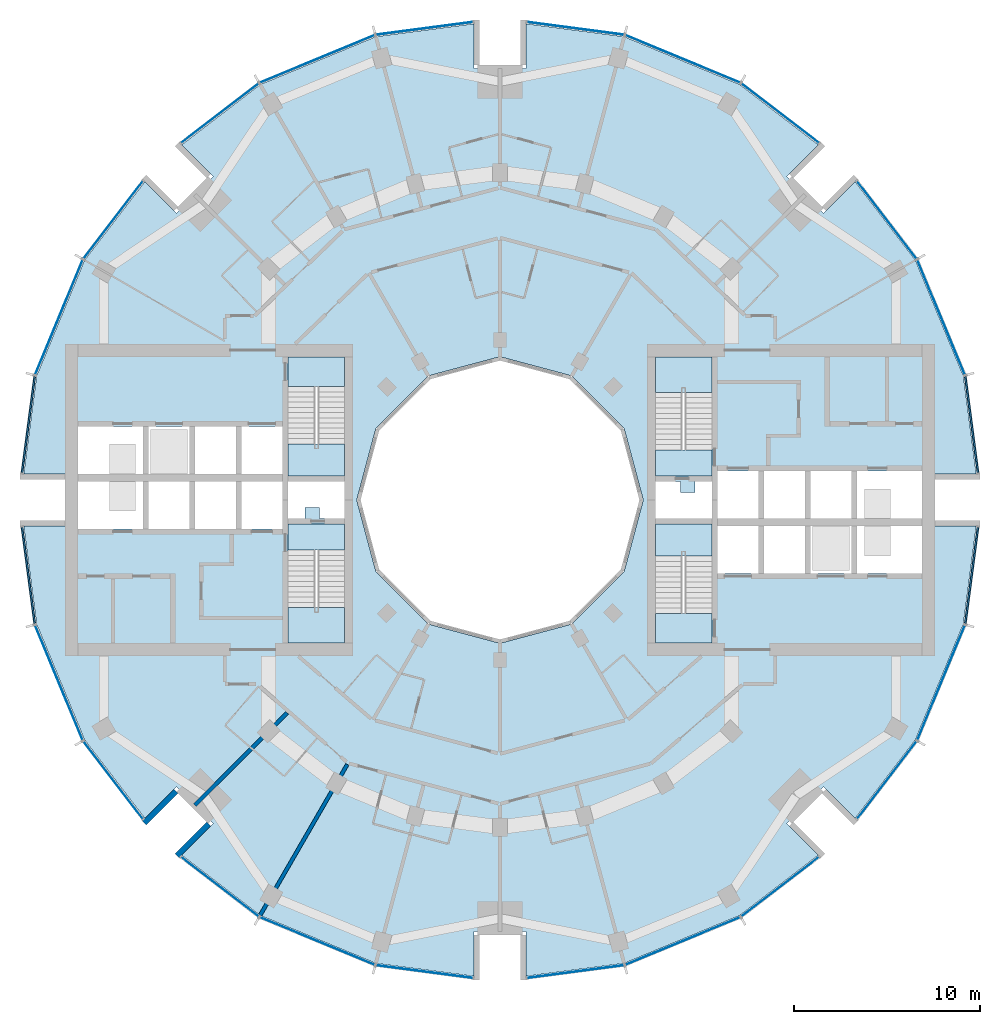
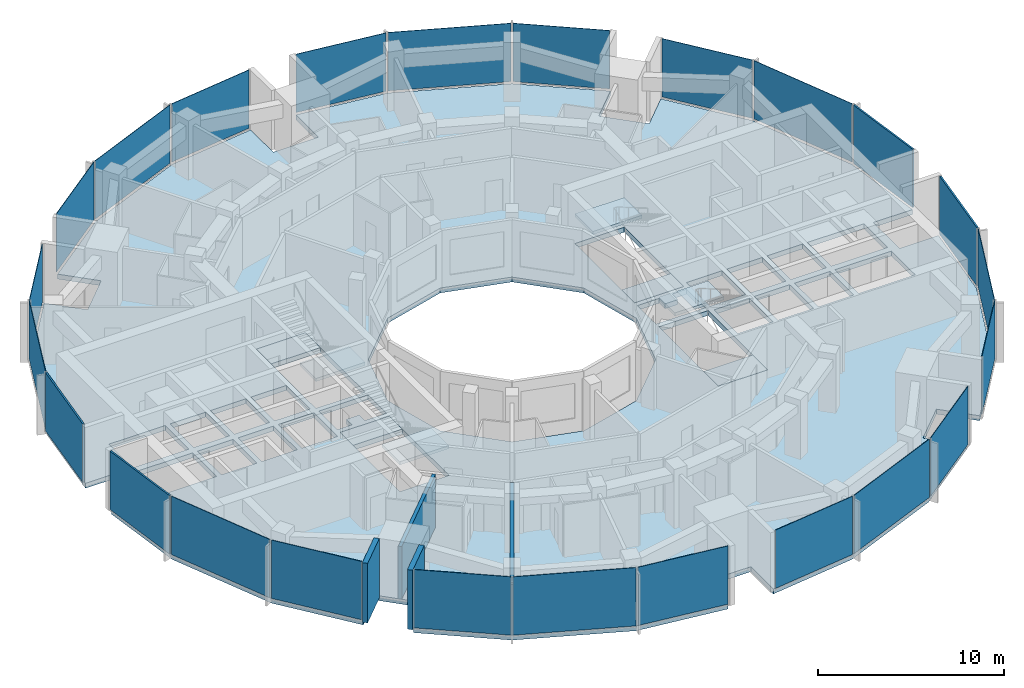
# One storey, part 7 of 15: 24 plates, 9 slabs, 4 walls, 28 elements without a shape of their own.
"""IFC4 building model written with IfcOpenShell, lengths in metres."""

import ifcopenshell
import ifcopenshell.guid

model = None  # the IFC model being written
_history = None  # IfcOwnerHistory: only IFC2X3 demands one
_inside = {}  # id of a spatial element -> (the spatial element, [elements in it])
_under = {}  # id of a project, library or spatial element -> (it, [spatial elements below it])
_declared = {}  # id of a project -> (the project, [libraries it declares])
_typed = {}  # id of a type object -> (the type object, [elements of that type])
_made_of = {}  # id of a material, layer set ... -> (it, [elements and type objects made of it])


def new_model(schema):
    """Start an empty IFC model of exactly this schema.

    Asked for "IFC4X3", IfcOpenShell would pick the latest addendum, in which some entities
    have other attributes; the version numbers below select the first issue.
    IFC2X3 requires an IfcOwnerHistory on every rooted entity: one is made here for all.
    """
    global model, _history
    if schema == "IFC4X3":
        model = ifcopenshell.file(schema_version=(4, 3, 0, 0))
    else:
        model = ifcopenshell.file(schema=schema)
    _inside.clear()
    _under.clear()
    _declared.clear()
    _typed.clear()
    _made_of.clear()
    _history = None
    if model.schema == "IFC2X3":
        org = make("IfcOrganization", Name="unknown")
        user = make(
            "IfcPersonAndOrganization",
            ThePerson=make("IfcPerson", FamilyName="unknown"),
            TheOrganization=org,
        )
        app = make(
            "IfcApplication",
            ApplicationDeveloper=org,
            Version="unknown",
            ApplicationFullName="unknown",
            ApplicationIdentifier="unknown",
        )
        _history = make(
            "IfcOwnerHistory",
            OwningUser=user,
            OwningApplication=app,
            ChangeAction="ADDED",
            CreationDate=0,
        )
    return model


def make(cls, **values):
    """One entity of the class cls with the attributes given. An attribute that is None is left unset."""
    return model.create_entity(
        cls, **{name: value for name, value in values.items() if value is not None}
    )


def rooted(cls, **values):
    """An entity with a GlobalId (a new one), such as an element, a storey or a relation."""
    return make(cls, GlobalId=ifcopenshell.guid.new(), OwnerHistory=_history, **values)


def si_unit(unit_type, name, prefix=None):
    """IfcSIUnit, for example si_unit("LENGTHUNIT", "METRE", prefix="MILLI")."""
    return make("IfcSIUnit", UnitType=unit_type, Prefix=prefix, Name=name)


def assignment(units):
    """IfcUnitAssignment: the units of a project."""
    return None if units is None else make("IfcUnitAssignment", Units=units)


def point(xyz):
    """IfcCartesianPoint."""
    return None if xyz is None else make("IfcCartesianPoint", Coordinates=xyz)


def direction(xyz):
    """IfcDirection."""
    return None if xyz is None else make("IfcDirection", DirectionRatios=xyz)


def frame(location, z_axis=None, x_axis=None):
    """IfcAxis2Placement3D, a coordinate frame: its origin and axes. An axis left out is left unset."""
    return make(
        "IfcAxis2Placement3D",
        Location=point(location),
        Axis=direction(z_axis),
        RefDirection=direction(x_axis),
    )


def frame_2d(location, x_axis=None):
    """IfcAxis2Placement2D, a coordinate frame in the plane: its origin and x axis."""
    return make(
        "IfcAxis2Placement2D", Location=point(location), RefDirection=direction(x_axis)
    )


def origin():
    """The frame at (0, 0, 0) with its axes left unset."""
    return frame((0.0, 0.0, 0.0))


def origin_2d():
    """The frame at (0, 0) in the plane with its x axis left unset."""
    return frame_2d((0.0, 0.0))


def place(relative_to, where):
    """IfcLocalPlacement: puts the frame where relative to a parent placement (None: the world)."""
    return make(
        "IfcLocalPlacement", PlacementRelTo=relative_to, RelativePlacement=where
    )


def context(
    kind, dimensions, precision=None, world=None, true_north=None, identifier=None
):
    """IfcGeometricRepresentationContext, for example the 3D "Model" context."""
    return make(
        "IfcGeometricRepresentationContext",
        ContextIdentifier=identifier,
        ContextType=kind,
        CoordinateSpaceDimension=dimensions,
        Precision=precision,
        WorldCoordinateSystem=world,
        TrueNorth=true_north,
    )


def subcontext(parent, identifier, kind, view, scale=None):
    """IfcGeometricRepresentationSubContext, for example "Body" below "Model"."""
    return make(
        "IfcGeometricRepresentationSubContext",
        ContextIdentifier=identifier,
        ContextType=kind,
        ParentContext=parent,
        TargetScale=scale,
        TargetView=view,
    )


def project(units=None, contexts=None):
    """IfcProject with its units and contexts."""
    return rooted(
        "IfcProject",
        Name="project",
        RepresentationContexts=contexts,
        UnitsInContext=assignment(units),
    )


def spatial(cls, under=None, at=None, **own):
    """A site, building, storey or space (cls), placed at a placement, below another one or the project."""
    s = rooted(cls, ObjectPlacement=at, **own)
    if under is not None:
        _under.setdefault(under.id(), (under, []))[1].append(s)
    return s


def polyline(points):
    """IfcPolyline through the points."""
    return make("IfcPolyline", Points=[point(p) for p in points])


def profile(cls, at=None, kind="AREA", **sizes):
    """A parametric profile (cls). Its sizes go by their IFC names, for example OverallWidth=200.0."""
    return make(cls, ProfileType=kind, Position=at, **sizes)


def rectangle(**sizes):
    """IfcRectangleProfileDef."""
    return profile("IfcRectangleProfileDef", **sizes)


def outline(outer, holes=None, kind="AREA"):
    """IfcArbitraryClosedProfileDef: a profile drawn as a closed curve; with holes, ...WithVoids."""
    if holes is None:
        return make("IfcArbitraryClosedProfileDef", ProfileType=kind, OuterCurve=outer)
    return make(
        "IfcArbitraryProfileDefWithVoids",
        ProfileType=kind,
        OuterCurve=outer,
        InnerCurves=holes,
    )


def extrude(swept, where, along, depth):
    """IfcExtrudedAreaSolid: the profile swept, set in the frame where, extruded along a direction by depth."""
    return make(
        "IfcExtrudedAreaSolid",
        SweptArea=swept,
        Position=where,
        ExtrudedDirection=direction(along),
        Depth=depth,
    )


def shape(context_of_items, identifier, shape_type, items):
    """IfcShapeRepresentation: the items that make up one representation, for example the "Body"."""
    return make(
        "IfcShapeRepresentation",
        ContextOfItems=context_of_items,
        RepresentationIdentifier=identifier,
        RepresentationType=shape_type,
        Items=items,
    )


def material(Name=None, Category=None):
    """IfcMaterial."""
    return make("IfcMaterial", Name=Name, Category=Category)


def layer(
    of_material, thickness, ventilated=None, Name=None, Category=None, Priority=None
):
    """IfcMaterialLayer: one layer of a wall or slab, of a material (None: an air gap)."""
    return make(
        "IfcMaterialLayer",
        Material=of_material,
        LayerThickness=thickness,
        IsVentilated=ventilated,
        Name=Name,
        Category=Category,
        Priority=Priority,
    )


def layer_set(layers, Name=None):
    """IfcMaterialLayerSet."""
    return make("IfcMaterialLayerSet", MaterialLayers=layers, LayerSetName=Name)


def made_of(thing, what):
    """Note that an element or type object is made of a material, layer set ...; save() writes the relation."""
    if what is not None:
        _made_of.setdefault(what.id(), (what, []))[1].append(thing)
    return thing


def type_object(cls, material=None, **own):
    """A type object (cls), such as IfcWallType, which elements share."""
    return made_of(rooted(cls, **own), material)


def element(
    cls,
    number,
    at=None,
    inside=None,
    cuts=None,
    type_object=None,
    material=None,
    context=None,
    identifier="Body",
    shape_type=None,
    held_by="IfcProductDefinitionShape",
    body=None,
    shapes=None,
    **own,
):
    """One element of the class cls, such as IfcWall. Its Tag is "e" and its number.

    at: its placement. inside: the storey or other place that contains it. cuts: it is an
    opening in that element (IfcRelVoidsElement). A single representation is given by context,
    identifier, shape_type and body (its items); several are given by shapes. held_by: the class
    of the entity that holds the representations. save() writes the other relations.
    """
    e = rooted(cls, Tag="e%d" % number, ObjectPlacement=at, **own)
    if body is not None:
        shapes = [shape(context, identifier, shape_type, body)]
    if shapes is not None:
        e.Representation = make(held_by, Representations=shapes)
    if inside is not None:
        _inside.setdefault(inside.id(), (inside, []))[1].append(e)
    if cuts is not None:
        rooted(
            "IfcRelVoidsElement", RelatingBuildingElement=cuts, RelatedOpeningElement=e
        )
    if type_object is not None:
        _typed.setdefault(type_object.id(), (type_object, []))[1].append(e)
    return made_of(e, material)


def aggregate(whole, parts):
    """IfcRelAggregates: a whole, such as a stair, and the parts it consists of."""
    return rooted("IfcRelAggregates", RelatingObject=whole, RelatedObjects=parts)


def save(model, path):
    """Write the relations noted so far, then the file.

    IfcRelAggregates (storeys below a building ...), IfcRelContainedInSpatialStructure (elements
    in a storey), IfcRelDefinesByType, IfcRelAssociatesMaterial and IfcRelDeclares: one each for
    every whole, place, type object, material and project.
    """
    for whole, parts in _under.values():
        aggregate(whole, parts)
    for where, things in _inside.values():
        rooted(
            "IfcRelContainedInSpatialStructure",
            RelatedElements=things,
            RelatingStructure=where,
        )
    for kind, things in _typed.values():
        rooted("IfcRelDefinesByType", RelatedObjects=things, RelatingType=kind)
    for what, things in _made_of.values():
        rooted("IfcRelAssociatesMaterial", RelatedObjects=things, RelatingMaterial=what)
    for by, libraries in _declared.values():
        rooted("IfcRelDeclares", RelatingContext=by, RelatedDefinitions=libraries)
    model.write(path)


model = new_model("IFC4")

# Units and contexts
model_context = context("Model", 3, precision=1e-05, world=origin(), true_north=direction((0.0, 1.0)))
body_context = subcontext(model_context, "Body", "Model", "MODEL_VIEW")
ifc_project = project(units=[si_unit("LENGTHUNIT", "METRE"), si_unit("AREAUNIT", "SQUARE_METRE"), si_unit("VOLUMEUNIT", "CUBIC_METRE"), si_unit("PLANEANGLEUNIT", "RADIAN"), si_unit("MASSUNIT", "GRAM", prefix="KILO")], contexts=[model_context])

# Site, building, storey
site_placement = place(None, origin())
site = spatial("IfcSite", under=ifc_project, at=site_placement, CompositionType="ELEMENT")
building_placement = place(site_placement, origin())
building = spatial("IfcBuilding", under=site, at=building_placement, Name="Torre Brocal", CompositionType="ELEMENT")
storey_placement = place(building_placement, frame((0.0, 0.0, 145.800048828125)))
storey = spatial("IfcBuildingStorey", under=building, at=storey_placement, Name="L34", CompositionType="ELEMENT", Elevation=145.800048828125)

# Curtain wall, plate
ifc_material_1 = material(Name="Aluminium and glass", Category="aluminium")
ifc_layer_1 = layer(ifc_material_1, 0.199951171875)
ifc_layer_set_1 = layer_set([ifc_layer_1], Name="Aluminium and glass")
curtain_wall_type_1 = type_object("IfcCurtainWallType", Name="CW-1 CURTAIN WALL 3900 HIGH", PredefinedType="NOTDEFINED", material=ifc_layer_set_1)
curtain_wall_1_placement = place(storey_placement, origin())
curtain_wall_1 = element("IfcCurtainWall", 1, at=curtain_wall_1_placement, inside=storey, type_object=curtain_wall_type_1, Name="CW-1 RUN 2", PredefinedType="NOTDEFINED")
ifc_material_2 = material(Name="Glass, dark tinted laminated", Category="glass")
ifc_layer_2 = layer(ifc_material_2, 0.031982421875)
ifc_layer_set_2 = layer_set([ifc_layer_2], Name="Glass, dark tinted laminated")
plate_type_1 = type_object("IfcPlateType", Name="CW-1 GLASS PANEL 32", PredefinedType="CURTAIN_PANEL", material=ifc_layer_set_2)
plate_1_placement = place(storey_placement, frame((103.722900390625, 84.826416015625, 0.080078125), z_axis=(0.0, 0.0, 1.0), x_axis=(-0.382683432333, 0.923879532525, 0.0)))
plate_1 = element("IfcPlate", 2, at=plate_1_placement, type_object=plate_type_1, Name="CW1-3 panel 1.1", PredefinedType="CURTAIN_PANEL", context=body_context, shape_type="SweptSolid", body=[
    extrude(rectangle(XDim=6.64111328125, YDim=0.031982421875, at=origin_2d()), origin(), (0.0, 0.0, 1.0), 3.820068359375),
])
aggregate(curtain_wall_1, [plate_1])

curtain_wall_2_placement = place(storey_placement, origin())
curtain_wall_2 = element("IfcCurtainWall", 3, at=curtain_wall_2_placement, inside=storey, type_object=curtain_wall_type_1, Name="CW-1 RUN 3", PredefinedType="NOTDEFINED")
plate_2_placement = place(storey_placement, frame((100.80126953125, 90.0712890625, 0.080078125), z_axis=(0.0, 0.0, 1.0), x_axis=(-0.60876142905, 0.793353340259, 0.0)))
plate_2 = element("IfcPlate", 4, at=plate_2_placement, type_object=plate_type_1, Name="CW1-3 panel 1.1", PredefinedType="CURTAIN_PANEL", context=body_context, shape_type="SweptSolid", body=[
    extrude(rectangle(XDim=5.22900390625, YDim=0.031982421875, at=origin_2d()), origin(), (0.0, 0.0, 1.0), 3.820068359375),
])
aggregate(curtain_wall_2, [plate_2])

curtain_wall_3_placement = place(storey_placement, origin())
curtain_wall_3 = element("IfcCurtainWall", 5, at=curtain_wall_3_placement, inside=storey, type_object=curtain_wall_type_1, Name="CW-1 RUN 4", PredefinedType="NOTDEFINED")
plate_3_placement = place(storey_placement, frame((95.0712890625, 95.80126953125, 0.080078125), z_axis=(0.0, 0.0, 1.0), x_axis=(-0.793353340259, 0.60876142905, 0.0)))
plate_3 = element("IfcPlate", 6, at=plate_3_placement, type_object=plate_type_1, Name="CW1-3 panel 1.1", PredefinedType="CURTAIN_PANEL", context=body_context, shape_type="SweptSolid", body=[
    extrude(rectangle(XDim=5.22900390625, YDim=0.031982421875, at=origin_2d()), origin(), (0.0, 0.0, 1.0), 3.820068359375),
])
aggregate(curtain_wall_3, [plate_3])

curtain_wall_4_placement = place(storey_placement, origin())
curtain_wall_4 = element("IfcCurtainWall", 7, at=curtain_wall_4_placement, inside=storey, type_object=curtain_wall_type_1, Name="CW-1 RUN 5", PredefinedType="NOTDEFINED")
plate_4_placement = place(storey_placement, frame((89.826416015625, 98.722900390625, 0.080078125), z_axis=(0.0, 0.0, 1.0), x_axis=(-0.923879532525, 0.382683432333, 0.0)))
plate_4 = element("IfcPlate", 8, at=plate_4_placement, type_object=plate_type_1, Name="CW1-3 panel 1.1", PredefinedType="CURTAIN_PANEL", context=body_context, shape_type="SweptSolid", body=[
    extrude(rectangle(XDim=6.64111328125, YDim=0.031982421875, at=origin_2d()), origin(), (0.0, 0.0, 1.0), 3.820068359375),
])
aggregate(curtain_wall_4, [plate_4])

curtain_wall_5_placement = place(storey_placement, origin())
curtain_wall_5 = element("IfcCurtainWall", 9, at=curtain_wall_5_placement, inside=storey, type_object=curtain_wall_type_1, Name="CW-1 RUN 6", PredefinedType="NOTDEFINED")
plate_5_placement = place(storey_placement, frame((84.051513671875, 100.36572265625, 0.080078125), z_axis=(0.0, 0.0, 1.0), x_axis=(-0.991444861374, 0.13052619222, 0.0)))
plate_5 = element("IfcPlate", 10, at=plate_5_placement, type_object=plate_type_1, Name="CW1-3 panel 1.1", PredefinedType="CURTAIN_PANEL", context=body_context, shape_type="SweptSolid", body=[
    extrude(rectangle(XDim=5.22900390625, YDim=0.031982421875, at=origin_2d()), origin(), (0.0, 0.0, 1.0), 3.820068359375),
])
aggregate(curtain_wall_5, [plate_5])

curtain_wall_6_placement = place(storey_placement, origin())
curtain_wall_6 = element("IfcCurtainWall", 11, at=curtain_wall_6_placement, inside=storey, type_object=curtain_wall_type_1, Name="CW-1 RUN 7", PredefinedType="NOTDEFINED")
plate_6_placement = place(storey_placement, frame((75.948486328125, 100.36572265625, 0.080078125), z_axis=(0.0, 0.0, 1.0), x_axis=(-0.991444861374, -0.13052619222, 0.0)))
plate_6 = element("IfcPlate", 12, at=plate_6_placement, type_object=plate_type_1, Name="CW1-3 panel 1.1", PredefinedType="CURTAIN_PANEL", context=body_context, shape_type="SweptSolid", body=[
    extrude(rectangle(XDim=5.22900390625, YDim=0.031982421875, at=origin_2d()), origin(), (0.0, 0.0, 1.0), 3.820068359375),
])
aggregate(curtain_wall_6, [plate_6])

curtain_wall_7_placement = place(storey_placement, origin())
curtain_wall_7 = element("IfcCurtainWall", 13, at=curtain_wall_7_placement, inside=storey, type_object=curtain_wall_type_1, Name="CW-1 RUN 8", PredefinedType="NOTDEFINED")
plate_7_placement = place(storey_placement, frame((70.173583984375, 98.722900390625, 0.080078125), z_axis=(0.0, 0.0, 1.0), x_axis=(-0.923879532525, -0.382683432333, 0.0)))
plate_7 = element("IfcPlate", 14, at=plate_7_placement, type_object=plate_type_1, Name="CW1-3 panel 1.1", PredefinedType="CURTAIN_PANEL", context=body_context, shape_type="SweptSolid", body=[
    extrude(rectangle(XDim=6.64111328125, YDim=0.031982421875, at=origin_2d()), origin(), (0.0, 0.0, 1.0), 3.820068359375),
])
aggregate(curtain_wall_7, [plate_7])

curtain_wall_8_placement = place(storey_placement, origin())
curtain_wall_8 = element("IfcCurtainWall", 15, at=curtain_wall_8_placement, inside=storey, type_object=curtain_wall_type_1, Name="CW-1 RUN 9", PredefinedType="NOTDEFINED")
plate_8_placement = place(storey_placement, frame((64.9287109375, 95.80126953125, 0.080078125), z_axis=(0.0, 0.0, 1.0), x_axis=(-0.793353340259, -0.60876142905, 0.0)))
plate_8 = element("IfcPlate", 16, at=plate_8_placement, type_object=plate_type_1, Name="CW1-3 panel 1.1", PredefinedType="CURTAIN_PANEL", context=body_context, shape_type="SweptSolid", body=[
    extrude(rectangle(XDim=5.22900390625, YDim=0.031982421875, at=origin_2d()), origin(), (0.0, 0.0, 1.0), 3.820068359375),
])
aggregate(curtain_wall_8, [plate_8])

curtain_wall_9_placement = place(storey_placement, origin())
curtain_wall_9 = element("IfcCurtainWall", 17, at=curtain_wall_9_placement, inside=storey, type_object=curtain_wall_type_1, Name="CW-1 RUN 10", PredefinedType="NOTDEFINED")
plate_9_placement = place(storey_placement, frame((59.19873046875, 90.0712890625, 0.080078125), z_axis=(0.0, 0.0, 1.0), x_axis=(-0.60876142905, -0.793353340259, 0.0)))
plate_9 = element("IfcPlate", 18, at=plate_9_placement, type_object=plate_type_1, Name="CW1-3 panel 1.1", PredefinedType="CURTAIN_PANEL", context=body_context, shape_type="SweptSolid", body=[
    extrude(rectangle(XDim=5.22900390625, YDim=0.031982421875, at=origin_2d()), origin(), (0.0, 0.0, 1.0), 3.820068359375),
])
aggregate(curtain_wall_9, [plate_9])

curtain_wall_10_placement = place(storey_placement, origin())
curtain_wall_10 = element("IfcCurtainWall", 19, at=curtain_wall_10_placement, inside=storey, type_object=curtain_wall_type_1, Name="CW-1 RUN 11", PredefinedType="NOTDEFINED")
plate_10_placement = place(storey_placement, frame((56.277099609375, 84.826416015625, 0.080078125), z_axis=(0.0, 0.0, 1.0), x_axis=(-0.382683432333, -0.923879532525, 0.0)))
plate_10 = element("IfcPlate", 20, at=plate_10_placement, type_object=plate_type_1, Name="CW1-3 panel 1.1", PredefinedType="CURTAIN_PANEL", context=body_context, shape_type="SweptSolid", body=[
    extrude(rectangle(XDim=6.64111328125, YDim=0.031982421875, at=origin_2d()), origin(), (0.0, 0.0, 1.0), 3.820068359375),
])
aggregate(curtain_wall_10, [plate_10])

curtain_wall_11_placement = place(storey_placement, origin())
curtain_wall_11 = element("IfcCurtainWall", 21, at=curtain_wall_11_placement, inside=storey, type_object=curtain_wall_type_1, Name="CW-1 RUN 14", PredefinedType="NOTDEFINED")
plate_11_placement = place(storey_placement, frame((56.277099609375, 65.173583984375, 0.080078125), z_axis=(0.0, 0.0, 1.0), x_axis=(0.382683432333, -0.923879532525, 0.0)))
plate_11 = element("IfcPlate", 22, at=plate_11_placement, type_object=plate_type_1, Name="CW1-3 panel 1.1", PredefinedType="CURTAIN_PANEL", context=body_context, shape_type="SweptSolid", body=[
    extrude(rectangle(XDim=6.64111328125, YDim=0.031982421875, at=origin_2d()), origin(), (0.0, 0.0, 1.0), 3.820068359375),
])
aggregate(curtain_wall_11, [plate_11])

curtain_wall_12_placement = place(storey_placement, origin())
curtain_wall_12 = element("IfcCurtainWall", 23, at=curtain_wall_12_placement, inside=storey, type_object=curtain_wall_type_1, Name="CW-1 RUN 15", PredefinedType="NOTDEFINED")
plate_12_placement = place(storey_placement, frame((59.19873046875, 59.9287109375, 0.080078125), z_axis=(0.0, 0.0, 1.0), x_axis=(0.60876142905, -0.793353340259, 0.0)))
plate_12 = element("IfcPlate", 24, at=plate_12_placement, type_object=plate_type_1, Name="CW1-3 panel 1.1", PredefinedType="CURTAIN_PANEL", context=body_context, shape_type="SweptSolid", body=[
    extrude(rectangle(XDim=5.22900390625, YDim=0.031982421875, at=origin_2d()), origin(), (0.0, 0.0, 1.0), 3.820068359375),
])
aggregate(curtain_wall_12, [plate_12])

curtain_wall_13_placement = place(storey_placement, origin())
curtain_wall_13 = element("IfcCurtainWall", 25, at=curtain_wall_13_placement, inside=storey, type_object=curtain_wall_type_1, Name="CW-1 RUN 16", PredefinedType="NOTDEFINED")
plate_13_placement = place(storey_placement, frame((64.9287109375, 54.19873046875, 0.080078125), z_axis=(0.0, 0.0, 1.0), x_axis=(0.793353340259, -0.60876142905, 0.0)))
plate_13 = element("IfcPlate", 26, at=plate_13_placement, type_object=plate_type_1, Name="CW1-3 panel 1.1", PredefinedType="CURTAIN_PANEL", context=body_context, shape_type="SweptSolid", body=[
    extrude(rectangle(XDim=5.22900390625, YDim=0.031982421875, at=origin_2d()), origin(), (0.0, 0.0, 1.0), 3.820068359375),
])
aggregate(curtain_wall_13, [plate_13])

curtain_wall_14_placement = place(storey_placement, origin())
curtain_wall_14 = element("IfcCurtainWall", 27, at=curtain_wall_14_placement, inside=storey, type_object=curtain_wall_type_1, Name="CW-1 RUN 17", PredefinedType="NOTDEFINED")
plate_14_placement = place(storey_placement, frame((70.173583984375, 51.277099609375, 0.080078125), z_axis=(0.0, 0.0, 1.0), x_axis=(0.923879532525, -0.382683432333, 0.0)))
plate_14 = element("IfcPlate", 28, at=plate_14_placement, type_object=plate_type_1, Name="CW1-3 panel 1.1", PredefinedType="CURTAIN_PANEL", context=body_context, shape_type="SweptSolid", body=[
    extrude(rectangle(XDim=6.64111328125, YDim=0.031982421875, at=origin_2d()), origin(), (0.0, 0.0, 1.0), 3.820068359375),
])
aggregate(curtain_wall_14, [plate_14])

curtain_wall_15_placement = place(storey_placement, origin())
curtain_wall_15 = element("IfcCurtainWall", 29, at=curtain_wall_15_placement, inside=storey, type_object=curtain_wall_type_1, Name="CW-1 RUN 18", PredefinedType="NOTDEFINED")
plate_15_placement = place(storey_placement, frame((75.948486328125, 49.63427734375, 0.080078125), z_axis=(0.0, 0.0, 1.0), x_axis=(0.991444861374, -0.13052619222, 0.0)))
plate_15 = element("IfcPlate", 30, at=plate_15_placement, type_object=plate_type_1, Name="CW1-3 panel 1.1", PredefinedType="CURTAIN_PANEL", context=body_context, shape_type="SweptSolid", body=[
    extrude(rectangle(XDim=5.22900390625, YDim=0.031982421875, at=origin_2d()), origin(), (0.0, 0.0, 1.0), 3.820068359375),
])
aggregate(curtain_wall_15, [plate_15])

curtain_wall_16_placement = place(storey_placement, origin())
curtain_wall_16 = element("IfcCurtainWall", 31, at=curtain_wall_16_placement, inside=storey, type_object=curtain_wall_type_1, Name="CW-1 RUN 19", PredefinedType="NOTDEFINED")
plate_16_placement = place(storey_placement, frame((84.051513671875, 49.63427734375, 0.080078125), z_axis=(0.0, 0.0, 1.0), x_axis=(0.991444861374, 0.13052619222, 0.0)))
plate_16 = element("IfcPlate", 32, at=plate_16_placement, type_object=plate_type_1, Name="CW1-3 panel 1.1", PredefinedType="CURTAIN_PANEL", context=body_context, shape_type="SweptSolid", body=[
    extrude(rectangle(XDim=5.22900390625, YDim=0.031982421875, at=origin_2d()), origin(), (0.0, 0.0, 1.0), 3.820068359375),
])
aggregate(curtain_wall_16, [plate_16])

curtain_wall_17_placement = place(storey_placement, origin())
curtain_wall_17 = element("IfcCurtainWall", 33, at=curtain_wall_17_placement, inside=storey, type_object=curtain_wall_type_1, Name="CW-1 RUN 20", PredefinedType="NOTDEFINED")
plate_17_placement = place(storey_placement, frame((89.826416015625, 51.277099609375, 0.080078125), z_axis=(0.0, 0.0, 1.0), x_axis=(0.923879532525, 0.382683432333, 0.0)))
plate_17 = element("IfcPlate", 34, at=plate_17_placement, type_object=plate_type_1, Name="CW1-3 panel 1.1", PredefinedType="CURTAIN_PANEL", context=body_context, shape_type="SweptSolid", body=[
    extrude(rectangle(XDim=6.64111328125, YDim=0.031982421875, at=origin_2d()), origin(), (0.0, 0.0, 1.0), 3.820068359375),
])
aggregate(curtain_wall_17, [plate_17])

curtain_wall_18_placement = place(storey_placement, origin())
curtain_wall_18 = element("IfcCurtainWall", 35, at=curtain_wall_18_placement, inside=storey, type_object=curtain_wall_type_1, Name="CW-1 RUN 21", PredefinedType="NOTDEFINED")
plate_18_placement = place(storey_placement, frame((95.0712890625, 54.19873046875, 0.080078125), z_axis=(0.0, 0.0, 1.0), x_axis=(0.793353340259, 0.60876142905, 0.0)))
plate_18 = element("IfcPlate", 36, at=plate_18_placement, type_object=plate_type_1, Name="CW1-3 panel 1.1", PredefinedType="CURTAIN_PANEL", context=body_context, shape_type="SweptSolid", body=[
    extrude(rectangle(XDim=5.22900390625, YDim=0.031982421875, at=origin_2d()), origin(), (0.0, 0.0, 1.0), 3.820068359375),
])
aggregate(curtain_wall_18, [plate_18])

curtain_wall_19_placement = place(storey_placement, origin())
curtain_wall_19 = element("IfcCurtainWall", 37, at=curtain_wall_19_placement, inside=storey, type_object=curtain_wall_type_1, Name="CW-1 RUN 22", PredefinedType="NOTDEFINED")
plate_19_placement = place(storey_placement, frame((100.80126953125, 59.9287109375, 0.080078125), z_axis=(0.0, 0.0, 1.0), x_axis=(0.60876142905, 0.793353340259, 0.0)))
plate_19 = element("IfcPlate", 38, at=plate_19_placement, type_object=plate_type_1, Name="CW1-3 panel 1.1", PredefinedType="CURTAIN_PANEL", context=body_context, shape_type="SweptSolid", body=[
    extrude(rectangle(XDim=5.22900390625, YDim=0.031982421875, at=origin_2d()), origin(), (0.0, 0.0, 1.0), 3.820068359375),
])
aggregate(curtain_wall_19, [plate_19])

curtain_wall_20_placement = place(storey_placement, origin())
curtain_wall_20 = element("IfcCurtainWall", 39, at=curtain_wall_20_placement, inside=storey, type_object=curtain_wall_type_1, Name="CW-1 RUN 23", PredefinedType="NOTDEFINED")
plate_20_placement = place(storey_placement, frame((103.722900390625, 65.173583984375, 0.080078125), z_axis=(0.0, 0.0, 1.0), x_axis=(0.382683432333, 0.923879532525, 0.0)))
plate_20 = element("IfcPlate", 40, at=plate_20_placement, type_object=plate_type_1, Name="CW1-3 panel 1.1", PredefinedType="CURTAIN_PANEL", context=body_context, shape_type="SweptSolid", body=[
    extrude(rectangle(XDim=6.64111328125, YDim=0.031982421875, at=origin_2d()), origin(), (0.0, 0.0, 1.0), 3.820068359375),
])
aggregate(curtain_wall_20, [plate_20])

ifc_material_3 = material(Name="Aluminium and glass", Category="aluminium")
ifc_layer_3 = layer(ifc_material_3, 0.199951171875)
ifc_layer_set_3 = layer_set([ifc_layer_3], Name="Aluminium and glass")
curtain_wall_type_2 = type_object("IfcCurtainWallType", Name="CW-1B CURTAIN WALL 3900 HIGH", PredefinedType="NOTDEFINED", material=ifc_layer_set_3)
curtain_wall_21_placement = place(storey_placement, origin())
curtain_wall_21 = element("IfcCurtainWall", 41, at=curtain_wall_21_placement, inside=storey, type_object=curtain_wall_type_2, Name="CW-1B RUN 1", PredefinedType="NOTDEFINED")
ifc_material_4 = material(Name="Aluminium composite panel", Category="aluminium")
ifc_layer_4 = layer(ifc_material_4, 0.10009765625)
ifc_layer_set_4 = layer_set([ifc_layer_4], Name="Aluminium composite panel")
plate_type_2 = type_object("IfcPlateType", Name="CW-1B OPAQUE PANEL 100", PredefinedType="CURTAIN_PANEL", material=ifc_layer_set_4)
plate_21_placement = place(storey_placement, frame((105.36572265625, 79.051513671875, 0.080078125), z_axis=(0.0, 0.0, 1.0), x_axis=(-0.13052619222, 0.991444861374, 0.0)))
plate_21 = element("IfcPlate", 42, at=plate_21_placement, type_object=plate_type_2, Name="CW1B-3 panel 1.1", PredefinedType="CURTAIN_PANEL", context=body_context, shape_type="SweptSolid", body=[
    extrude(rectangle(XDim=5.22900390625, YDim=0.10009765625, at=origin_2d()), origin(), (0.0, 0.0, 1.0), 3.820068359375),
])
aggregate(curtain_wall_21, [plate_21])

curtain_wall_22_placement = place(storey_placement, origin())
curtain_wall_22 = element("IfcCurtainWall", 43, at=curtain_wall_22_placement, inside=storey, type_object=curtain_wall_type_2, Name="CW-1B RUN 12", PredefinedType="NOTDEFINED")
plate_22_placement = place(storey_placement, frame((54.63427734375, 79.051513671875, 0.080078125), z_axis=(0.0, 0.0, 1.0), x_axis=(-0.13052619222, -0.991444861374, 0.0)))
plate_22 = element("IfcPlate", 44, at=plate_22_placement, type_object=plate_type_2, Name="CW1B-3 panel 1.1", PredefinedType="CURTAIN_PANEL", context=body_context, shape_type="SweptSolid", body=[
    extrude(rectangle(XDim=5.22900390625, YDim=0.10009765625, at=origin_2d()), origin(), (0.0, 0.0, 1.0), 3.820068359375),
])
aggregate(curtain_wall_22, [plate_22])

curtain_wall_23_placement = place(storey_placement, origin())
curtain_wall_23 = element("IfcCurtainWall", 45, at=curtain_wall_23_placement, inside=storey, type_object=curtain_wall_type_2, Name="CW-1B RUN 13", PredefinedType="NOTDEFINED")
plate_23_placement = place(storey_placement, frame((54.63427734375, 70.948486328125, 0.080078125), z_axis=(0.0, 0.0, 1.0), x_axis=(0.13052619222, -0.991444861374, 0.0)))
plate_23 = element("IfcPlate", 46, at=plate_23_placement, type_object=plate_type_2, Name="CW1B-3 panel 1.1", PredefinedType="CURTAIN_PANEL", context=body_context, shape_type="SweptSolid", body=[
    extrude(rectangle(XDim=5.22900390625, YDim=0.10009765625, at=origin_2d()), origin(), (0.0, 0.0, 1.0), 3.820068359375),
])
aggregate(curtain_wall_23, [plate_23])

curtain_wall_24_placement = place(storey_placement, origin())
curtain_wall_24 = element("IfcCurtainWall", 47, at=curtain_wall_24_placement, inside=storey, type_object=curtain_wall_type_2, Name="CW-1B RUN 24", PredefinedType="NOTDEFINED")
plate_24_placement = place(storey_placement, frame((105.36572265625, 70.948486328125, 0.080078125), z_axis=(0.0, 0.0, 1.0), x_axis=(0.13052619222, 0.991444861374, 0.0)))
plate_24 = element("IfcPlate", 48, at=plate_24_placement, type_object=plate_type_2, Name="CW1B-3 panel 1.1", PredefinedType="CURTAIN_PANEL", context=body_context, shape_type="SweptSolid", body=[
    extrude(rectangle(XDim=5.22900390625, YDim=0.10009765625, at=origin_2d()), origin(), (0.0, 0.0, 1.0), 3.820068359375),
])
aggregate(curtain_wall_24, [plate_24])

# Stair, slab
ifc_material_5 = material(Name="Concrete C50", Category="concrete")
stair_type = type_object("IfcStairType", Name="EXIT STAIR", PredefinedType="HALF_TURN_STAIR", material=ifc_material_5)
stair_1_placement = place(storey_placement, origin())
stair_1 = element("IfcStair", 49, at=stair_1_placement, inside=storey, type_object=stair_type, Name="EXIT STAIR ST1", PredefinedType="HALF_TURN_STAIR")
ifc_material_6 = material(Name="Concrete C50", Category="concrete")
ifc_layer_5 = layer(ifc_material_6, 0.320068359375)
ifc_layer_set_5 = layer_set([ifc_layer_5], Name="Concrete C50")
slab_type_1 = type_object("IfcSlabType", Name="FLOOR LANDING 320", PredefinedType="LANDING", material=ifc_layer_set_5)
slab_1_placement = place(storey_placement, frame((0.0, 0.0, -0.320068359375)))
slab_1 = element("IfcSlab", 50, at=slab_1_placement, type_object=slab_type_1, Name="ST1 landing 1", PredefinedType="LANDING", context=body_context, shape_type="SweptSolid", body=[
    extrude(outline(polyline([(88.35009765625, 76.300048828125), (91.39990234375, 76.300048828125), (91.39990234375, 77.699951171875), (88.35009765625, 77.699951171875), (88.35009765625, 76.300048828125)])), origin(), (0.0, 0.0, 1.0), 0.320068359375),
])

stair_2_placement = place(storey_placement, origin())
stair_2 = element("IfcStair", 51, at=stair_2_placement, inside=storey, type_object=stair_type, Name="EXIT STAIR ST2", PredefinedType="HALF_TURN_STAIR")
slab_2_placement = place(storey_placement, frame((0.0, 0.0, -0.320068359375)))
slab_2 = element("IfcSlab", 52, at=slab_2_placement, type_object=slab_type_1, Name="ST2 landing 1", PredefinedType="LANDING", context=body_context, shape_type="SweptSolid", body=[
    extrude(outline(polyline([(88.35009765625, 67.300048828125), (91.39990234375, 67.300048828125), (91.39990234375, 68.89990234375), (88.35009765625, 68.89990234375), (88.35009765625, 67.300048828125)])), origin(), (0.0, 0.0, 1.0), 0.320068359375),
])

stair_3_placement = place(storey_placement, origin())
stair_3 = element("IfcStair", 53, at=stair_3_placement, inside=storey, type_object=stair_type, Name="EXIT STAIR ST3", PredefinedType="HALF_TURN_STAIR")
slab_3_placement = place(storey_placement, frame((0.0, 0.0, -0.320068359375)))
slab_3 = element("IfcSlab", 54, at=slab_3_placement, type_object=slab_type_1, Name="ST3 landing 1", PredefinedType="LANDING", context=body_context, shape_type="SweptSolid", body=[
    extrude(outline(polyline([(71.64990234375, 73.699951171875), (68.60009765625, 73.699951171875), (68.60009765625, 72.300048828125), (71.64990234375, 72.300048828125), (71.64990234375, 73.699951171875)])), origin(), (0.0, 0.0, 1.0), 0.320068359375),
])

stair_4_placement = place(storey_placement, origin())
stair_4 = element("IfcStair", 55, at=stair_4_placement, inside=storey, type_object=stair_type, Name="EXIT STAIR ST4", PredefinedType="HALF_TURN_STAIR")
slab_4_placement = place(storey_placement, frame((0.0, 0.0, -0.320068359375)))
slab_4 = element("IfcSlab", 56, at=slab_4_placement, type_object=slab_type_1, Name="ST4 landing 1", PredefinedType="LANDING", context=body_context, shape_type="SweptSolid", body=[
    extrude(outline(polyline([(71.64990234375, 82.699951171875), (68.60009765625, 82.699951171875), (68.60009765625, 81.10009765625), (71.64990234375, 81.10009765625), (71.64990234375, 82.699951171875)])), origin(), (0.0, 0.0, 1.0), 0.320068359375),
])

# Slab
ifc_material_7 = material(Name="Concrete C50", Category="concrete")
ifc_layer_6 = layer(ifc_material_7, 0.199951171875)
ifc_layer_set_6 = layer_set([ifc_layer_6], Name="Concrete C50")
slab_type_2 = type_object("IfcSlabType", Name="MID LANDING +1950", PredefinedType="LANDING", material=ifc_layer_set_6)
slab_5_placement = place(storey_placement, frame((0.0, 0.0, 1.75)))
slab_5 = element("IfcSlab", 57, at=slab_5_placement, type_object=slab_type_2, Name="ST1 landing 2", PredefinedType="LANDING", context=body_context, shape_type="SweptSolid", body=[
    extrude(outline(polyline([(88.35009765625, 80.780029296875), (91.39990234375, 80.780029296875), (91.39990234375, 82.699951171875), (88.35009765625, 82.699951171875), (88.35009765625, 80.780029296875)])), origin(), (0.0, 0.0, 1.0), 0.199951171875),
])

aggregate(stair_1, [slab_1, slab_5])

slab_6_placement = place(storey_placement, frame((0.0, 0.0, 1.75)))
slab_6 = element("IfcSlab", 58, at=slab_6_placement, type_object=slab_type_2, Name="ST2 landing 2", PredefinedType="LANDING", context=body_context, shape_type="SweptSolid", body=[
    extrude(outline(polyline([(88.35009765625, 71.97998046875), (91.39990234375, 71.97998046875), (91.39990234375, 73.699951171875), (88.35009765625, 73.699951171875), (88.35009765625, 71.97998046875)])), origin(), (0.0, 0.0, 1.0), 0.199951171875),
])

aggregate(stair_2, [slab_2, slab_6])

slab_7_placement = place(storey_placement, frame((0.0, 0.0, 1.75)))
slab_7 = element("IfcSlab", 59, at=slab_7_placement, type_object=slab_type_2, Name="ST3 landing 2", PredefinedType="LANDING", context=body_context, shape_type="SweptSolid", body=[
    extrude(outline(polyline([(71.64990234375, 69.219970703125), (68.60009765625, 69.219970703125), (68.60009765625, 67.300048828125), (71.64990234375, 67.300048828125), (71.64990234375, 69.219970703125)])), origin(), (0.0, 0.0, 1.0), 0.199951171875),
])

aggregate(stair_3, [slab_3, slab_7])

slab_8_placement = place(storey_placement, frame((0.0, 0.0, 1.75)))
slab_8 = element("IfcSlab", 60, at=slab_8_placement, type_object=slab_type_2, Name="ST4 landing 2", PredefinedType="LANDING", context=body_context, shape_type="SweptSolid", body=[
    extrude(outline(polyline([(71.64990234375, 78.02001953125), (68.60009765625, 78.02001953125), (68.60009765625, 76.300048828125), (71.64990234375, 76.300048828125), (71.64990234375, 78.02001953125)])), origin(), (0.0, 0.0, 1.0), 0.199951171875),
])

aggregate(stair_4, [slab_4, slab_8])

ifc_material_8 = material(Name="Concrete C45", Category="concrete")
ifc_layer_7 = layer(ifc_material_8, 0.320068359375)
ifc_layer_set_7 = layer_set([ifc_layer_7], Name="Concrete C45")
slab_type_3 = type_object("IfcSlabType", Name="PT FLOOR SLAB 320 C45", PredefinedType="FLOOR", material=ifc_layer_set_7)
slab_9_placement = place(storey_placement, frame((0.0, 0.0, -0.320068359375)))
element("IfcSlab", 61, at=slab_9_placement, inside=storey, type_object=slab_type_3, Name="Slab ST-05", PredefinedType="FLOOR", context=body_context, shape_type="SweptSolid", body=[
    extrude(outline(polyline([(103.199951171875, 76.39990234375), (103.199951171875, 73.60009765625), (105.614013671875, 73.60009765625), (104.919189453125, 68.322998046875), (102.342041015625, 62.100830078125), (99.101806640625, 57.878173828125), (97.394775390625, 59.5849609375), (95.4150390625, 57.605224609375), (97.121826171875, 55.898193359375), (92.899169921875, 52.657958984375), (86.677001953125, 50.080810546875), (81.39990234375, 49.385986328125), (81.39990234375, 51.800048828125), (78.60009765625, 51.800048828125), (78.60009765625, 49.385986328125), (73.322998046875, 50.080810546875), (67.100830078125, 52.657958984375), (62.878173828125, 55.898193359375), (64.5849609375, 57.605224609375), (62.605224609375, 59.5849609375), (60.898193359375, 57.878173828125), (57.657958984375, 62.100830078125), (55.080810546875, 68.322998046875), (54.385986328125, 73.60009765625), (56.800048828125, 73.60009765625), (56.800048828125, 76.39990234375), (54.385986328125, 76.39990234375), (55.080810546875, 81.677001953125), (57.657958984375, 87.899169921875), (60.898193359375, 92.121826171875), (62.605224609375, 90.4150390625), (64.5849609375, 92.394775390625), (62.878173828125, 94.101806640625), (67.100830078125, 97.342041015625), (73.322998046875, 99.919189453125), (78.60009765625, 100.614013671875), (78.60009765625, 98.199951171875), (81.39990234375, 98.199951171875), (81.39990234375, 100.614013671875), (86.677001953125, 99.919189453125), (92.899169921875, 97.342041015625), (97.121826171875, 94.101806640625), (95.4150390625, 92.394775390625), (97.394775390625, 90.4150390625), (99.101806640625, 92.121826171875), (102.342041015625, 87.899169921875), (104.919189453125, 81.677001953125), (105.614013671875, 76.39990234375), (103.199951171875, 76.39990234375)]), holes=[polyline([(102.699951171875, 74.0), (102.699951171875, 76.550048828125), (99.199951171875, 76.550048828125), (99.199951171875, 74.0), (102.699951171875, 74.0)]), polyline([(102.699951171875, 71.050048828125), (102.699951171875, 73.60009765625), (99.199951171875, 73.60009765625), (99.199951171875, 71.050048828125), (102.699951171875, 71.050048828125)]), polyline([(98.89990234375, 76.550048828125), (96.699951171875, 76.550048828125), (96.699951171875, 74.0), (98.89990234375, 74.0), (98.89990234375, 76.550048828125)]), polyline([(98.89990234375, 71.050048828125), (98.89990234375, 73.60009765625), (96.699951171875, 73.60009765625), (96.699951171875, 71.050048828125), (98.89990234375, 71.050048828125)]), polyline([(96.39990234375, 73.60009765625), (94.199951171875, 73.60009765625), (94.199951171875, 71.050048828125), (96.39990234375, 71.050048828125), (96.39990234375, 73.60009765625)]), polyline([(96.39990234375, 74.0), (96.39990234375, 76.550048828125), (94.199951171875, 76.550048828125), (94.199951171875, 74.0), (96.39990234375, 74.0)]), polyline([(93.89990234375, 73.60009765625), (91.699951171875, 73.60009765625), (91.699951171875, 71.050048828125), (93.89990234375, 71.050048828125), (93.89990234375, 73.60009765625)]), polyline([(93.89990234375, 74.0), (93.89990234375, 76.550048828125), (91.699951171875, 76.550048828125), (91.699951171875, 74.0), (93.89990234375, 74.0)]), polyline([(91.39990234375, 76.300048828125), (91.39990234375, 82.699951171875), (88.35009765625, 82.699951171875), (88.35009765625, 76.300048828125), (91.39990234375, 76.300048828125)]), polyline([(91.39990234375, 73.699951171875), (88.35009765625, 73.699951171875), (88.35009765625, 67.300048828125), (91.39990234375, 67.300048828125), (91.39990234375, 73.699951171875)]), polyline([(89.699951171875, 76.0), (88.35009765625, 76.0), (88.35009765625, 74.0), (91.39990234375, 74.0), (91.39990234375, 76.0), (90.5, 76.0), (90.5, 75.39990234375), (89.699951171875, 75.39990234375), (89.699951171875, 76.0)]), polyline([(80.0, 82.70703125), (76.146484375, 81.674560546875), (73.325439453125, 78.853515625), (72.29296875, 75.0), (73.325439453125, 71.146484375), (76.146484375, 68.325439453125), (80.0, 67.29296875), (83.853515625, 68.325439453125), (86.674560546875, 71.146484375), (87.70703125, 75.0), (86.674560546875, 78.853515625), (83.853515625, 81.674560546875), (80.0, 82.70703125)]), polyline([(68.60009765625, 82.699951171875), (68.60009765625, 76.300048828125), (71.64990234375, 76.300048828125), (71.64990234375, 82.699951171875), (68.60009765625, 82.699951171875)]), polyline([(70.300048828125, 74.0), (71.64990234375, 74.0), (71.64990234375, 76.0), (68.60009765625, 76.0), (68.60009765625, 74.0), (69.5, 74.0), (69.5, 74.60009765625), (70.300048828125, 74.60009765625), (70.300048828125, 74.0)]), polyline([(68.60009765625, 67.300048828125), (71.64990234375, 67.300048828125), (71.64990234375, 73.699951171875), (68.60009765625, 73.699951171875), (68.60009765625, 67.300048828125)]), polyline([(66.10009765625, 78.949951171875), (66.10009765625, 76.39990234375), (68.300048828125, 76.39990234375), (68.300048828125, 78.949951171875), (66.10009765625, 78.949951171875)]), polyline([(66.10009765625, 76.0), (66.10009765625, 73.449951171875), (68.300048828125, 73.449951171875), (68.300048828125, 76.0), (66.10009765625, 76.0)]), polyline([(63.60009765625, 76.0), (63.60009765625, 73.449951171875), (65.800048828125, 73.449951171875), (65.800048828125, 76.0), (63.60009765625, 76.0)]), polyline([(63.60009765625, 76.39990234375), (65.800048828125, 76.39990234375), (65.800048828125, 78.949951171875), (63.60009765625, 78.949951171875), (63.60009765625, 76.39990234375)]), polyline([(61.10009765625, 78.949951171875), (61.10009765625, 76.39990234375), (63.300048828125, 76.39990234375), (63.300048828125, 78.949951171875), (61.10009765625, 78.949951171875)]), polyline([(61.10009765625, 73.449951171875), (63.300048828125, 73.449951171875), (63.300048828125, 76.0), (61.10009765625, 76.0), (61.10009765625, 73.449951171875)]), polyline([(57.300048828125, 73.449951171875), (60.800048828125, 73.449951171875), (60.800048828125, 76.0), (57.300048828125, 76.0), (57.300048828125, 73.449951171875)]), polyline([(57.300048828125, 78.949951171875), (57.300048828125, 76.39990234375), (60.800048828125, 76.39990234375), (60.800048828125, 78.949951171875), (57.300048828125, 78.949951171875)])]), origin(), (0.0, 0.0, 1.0), 0.320068359375),
])

# Walls
ifc_material_9 = material(Name="Concrete C70", Category="concrete")
ifc_layer_8 = layer(ifc_material_9, 0.300048828125)
ifc_layer_set_8 = layer_set([ifc_layer_8], Name="Concrete C70")
wall_type_1 = type_object("IfcWallType", Name="NOTCH RETURN WALL 300 C70", PredefinedType="NOTDEFINED", material=ifc_layer_set_8)
for number, where, z_axis, x_axis, name in (
    (62, (62.56982421875, 59.337646484375, 0.0), (0.0, 0.0, 1.0), (-0.707106781187, -0.707106781187, 0.0), "NOTCH RETURN WALL"),
    (63, (64.337646484375, 57.56982421875, 0.0), (0.0, 0.0, 1.0), (-0.707106781187, -0.707106781187, 0.0), "NOTCH RETURN WALL"),
):
    element("IfcWall", number, at=place(storey_placement, frame(where, z_axis=z_axis, x_axis=x_axis)), inside=storey, type_object=wall_type_1, Name=name, PredefinedType="NOTDEFINED", context=body_context, shape_type="SweptSolid", body=[
        extrude(rectangle(XDim=2.415771484375, YDim=0.300048828125, at=frame_2d((1.2080078125, 0.0))), origin(), (0.0, 0.0, 1.0), 3.89990234375),
    ])
ifc_material_10 = material(Name="Gypsum board", Category="Gypsum")
ifc_layer_9 = layer(ifc_material_10, 0.199951171875)
ifc_layer_set_9 = layer_set([ifc_layer_9], Name="Gypsum board")
wall_type_2 = type_object("IfcWallType", Name="PARTITION 200 EI60", PredefinedType="PARTITIONING", material=ifc_layer_set_9)
wall_1_placement = place(storey_placement, frame((63.5927734375, 58.5986328125, 0.0), z_axis=(0.0, 0.0, 1.0), x_axis=(0.707228748718, 0.706984792613, 0.0)))
element("IfcWall", 64, at=wall_1_placement, inside=storey, type_object=wall_type_2, Name="BATHROOM WALL", PredefinedType="PARTITIONING", context=body_context, shape_type="SweptSolid", body=[
    extrude(rectangle(XDim=7.00537109375, YDim=0.199951171875, at=frame_2d((3.502685546875, 0.0))), origin(), (0.0, 0.0, 1.0), 3.449951171875),
])
wall_2_placement = place(storey_placement, frame((67.097412109375, 52.66064453125, 0.0), z_axis=(0.0, 0.0, 1.0), x_axis=(0.500236379769, 0.865888886841, 0.0)))
element("IfcWall", 65, at=wall_2_placement, inside=storey, type_object=wall_type_2, Name="PARTY PARTITION", PredefinedType="PARTITIONING", context=body_context, shape_type="SweptSolid", body=[
    extrude(rectangle(XDim=9.375, YDim=0.199951171875, at=frame_2d((4.6875, 0.0))), origin(), (0.0, 0.0, 1.0), 3.449951171875),
])

save(model, "model.ifc")
